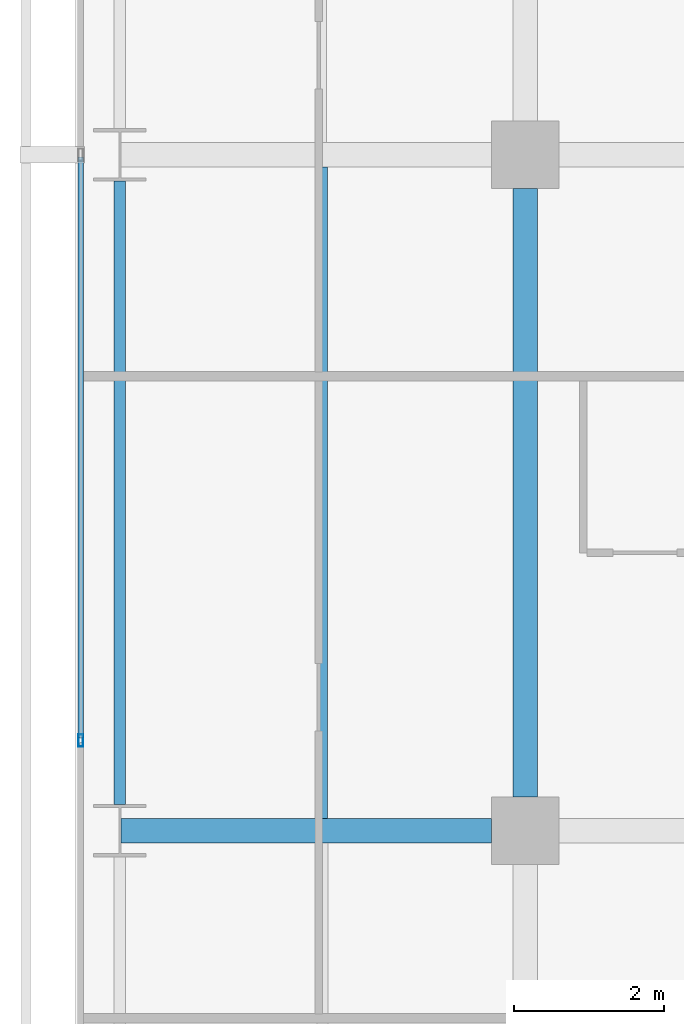
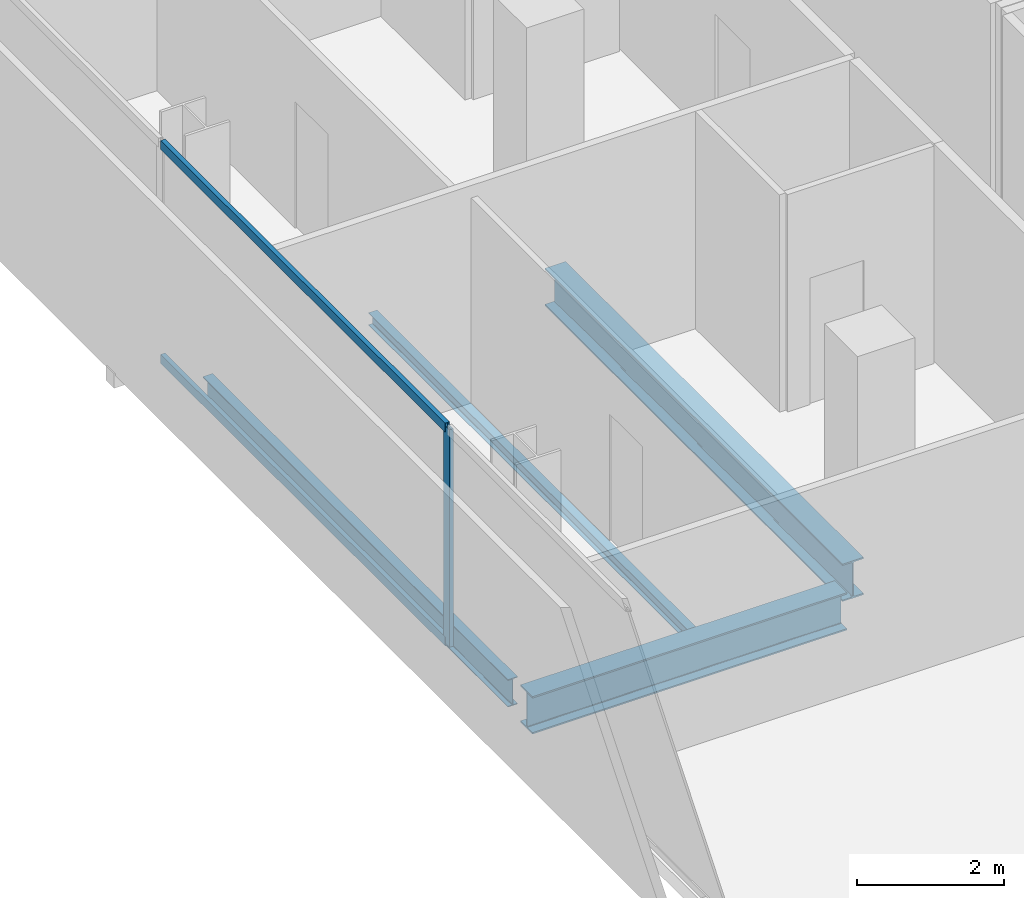
# One storey, part 10 of 39: 4 beams, 3 members, 1 element without a shape of its own.
"""IFC4 building model written with IfcOpenShell, lengths in metres."""

from ifc_helpers import new_model, si_unit, direction, frame, origin, origin_2d, place, context, subcontext, project, spatial, hollow_rectangle, i_section, extrude, material, layer, layer_set, material_profile, profile_set, type_object, element, aggregate, save


model = new_model("IFC4")

# Units and contexts
model_context = context("Model", 3, precision=1e-05, world=origin(), true_north=direction((0.0, 1.0)))
body_context = subcontext(model_context, "Body", "Model", "MODEL_VIEW")
ifc_project = project(units=[si_unit("LENGTHUNIT", "METRE"), si_unit("AREAUNIT", "SQUARE_METRE"), si_unit("VOLUMEUNIT", "CUBIC_METRE"), si_unit("PLANEANGLEUNIT", "RADIAN"), si_unit("MASSUNIT", "GRAM", prefix="KILO")], contexts=[model_context])

# Site, building, storey
site_placement = place(None, origin())
site = spatial("IfcSite", under=ifc_project, at=site_placement, CompositionType="ELEMENT")
building_placement = place(site_placement, origin())
building = spatial("IfcBuilding", under=site, at=building_placement, Name="Maruvema Waterfront Hotel and Observation Tower", CompositionType="ELEMENT")
storey_placement = place(building_placement, frame((0.0, 0.0, 69.300048828125)))
storey = spatial("IfcBuildingStorey", under=building, at=storey_placement, Name="L16", CompositionType="ELEMENT", Elevation=69.300048828125)

# Curtain wall, members
ifc_material_1 = material(Name="Anodised bronze aluminium and solar-control low-E IGU", Category="aluminium")
ifc_layer = layer(ifc_material_1, 0.159912109375, Name="Zone 1 Bronze Inner Thermal Curtain Wall System CW-02")
ifc_layer_set = layer_set([ifc_layer], Name="Anodised bronze aluminium and solar-control low-E IGU")
curtain_wall_type = type_object("IfcCurtainWallType", Name="Zone 1 Bronze Inner Thermal Curtain Wall System CW-02", PredefinedType="USERDEFINED", material=ifc_layer_set)
curtain_wall_placement = place(storey_placement, origin())
curtain_wall = element("IfcCurtainWall", 1, at=curtain_wall_placement, inside=storey, type_object=curtain_wall_type, Name="L16 Curtain Wall CW-L16-W", ObjectType="UNITISED CURTAIN WALL", PredefinedType="USERDEFINED")
ifc_material_2 = material(Name="Anodised architectural bronze aluminium", Category="aluminium")
ifc_material_profile_1 = material_profile(ifc_material_2, hollow_rectangle(XDim=0.070068359375, YDim=0.14990234375, WallThickness=0.00390625, at=origin_2d()), Name="ALU-T70x150")
ifc_profile_set_1 = profile_set([ifc_material_profile_1], Name="Anodised architectural bronze aluminium")
member_type_1 = type_object("IfcMemberType", Name="Curtain Wall Horizontal Transom ALU-T70x150", PredefinedType="USERDEFINED", material=ifc_profile_set_1)
member_1_placement = place(storey_placement, frame((10.8798828125, 26.969970703125, 0.030029296875), z_axis=(0.0, -1.0, 0.0), x_axis=(1.0, 0.0, 0.0)))
member_1 = element("IfcMember", 2, at=member_1_placement, type_object=member_type_1, Name="CW-02 transom 4.1", ObjectType="TRANSOM", PredefinedType="USERDEFINED", context=body_context, shape_type="SweptSolid", body=[
    extrude(hollow_rectangle(XDim=0.070068359375, YDim=0.14990234375, WallThickness=0.00390625, at=origin_2d()), origin(), (0.0, 0.0, 1.0), 7.739990234375),
])
member_2_placement = place(storey_placement, frame((10.8798828125, 26.969970703125, 3.579833984375), z_axis=(0.0, -1.0, 0.0), x_axis=(1.0, 0.0, 0.0)))
member_2 = element("IfcMember", 3, at=member_2_placement, type_object=member_type_1, Name="CW-02 transom 4.2", ObjectType="TRANSOM", PredefinedType="USERDEFINED", context=body_context, shape_type="SweptSolid", body=[
    extrude(hollow_rectangle(XDim=0.070068359375, YDim=0.14990234375, WallThickness=0.00390625, at=origin_2d()), origin(), (0.0, 0.0, 1.0), 7.739990234375),
])
ifc_material_3 = material(Name="Anodised architectural bronze aluminium", Category="aluminium")
ifc_material_profile_2 = material_profile(ifc_material_3, hollow_rectangle(XDim=0.06494140625, YDim=0.1650390625, WallThickness=0.00390625, at=origin_2d()), Name="ALU-M65x165")
ifc_profile_set_2 = profile_set([ifc_material_profile_2], Name="Anodised architectural bronze aluminium")
member_type_2 = type_object("IfcMemberType", Name="Curtain Wall Primary Mullion ALU-M65x165", PredefinedType="MULLION", material=ifc_profile_set_2)
member_3_placement = place(storey_placement, frame((10.8798828125, 19.199951171875, 0.0), z_axis=(0.0, 0.0, 1.0), x_axis=(1.0, 0.0, 0.0)))
member_3 = element("IfcMember", 4, at=member_3_placement, type_object=member_type_2, Name="CW-02 mullion 5", PredefinedType="MULLION", context=body_context, shape_type="SweptSolid", body=[
    extrude(hollow_rectangle(XDim=0.06494140625, YDim=0.1650390625, WallThickness=0.00390625, at=origin_2d()), origin(), (0.0, 0.0, 1.0), 3.60986328125),
])
aggregate(curtain_wall, [member_3, member_1, member_2])

# Beams
ifc_material_4 = material(Name="Steel ASTM A572 Grade 50", Category="steel")
ifc_material_profile_3 = material_profile(ifc_material_4, i_section(OverallWidth=0.153076171875, OverallDepth=0.455078125, WebThickness=0.008056640625, FlangeThickness=0.01318359375, FilletRadius=0.014892578125, at=origin_2d()), Name="W460x60.0")
ifc_profile_set_3 = profile_set([ifc_material_profile_3], Name="Steel ASTM A572 Grade 50")
beam_type_1 = type_object("IfcBeamType", Name="Perimeter Spandrel Beam W460x60.0", PredefinedType="SPANDREL", material=ifc_profile_set_3)
beam_1_placement = place(storey_placement, frame((11.39990234375, 18.35009765625, -0.467529296875), z_axis=(0.0, 1.0, 0.0), x_axis=(-1.0, 0.0, 0.0)))
element("IfcBeam", 5, at=beam_1_placement, inside=storey, type_object=beam_type_1, Name="L16 Floor Girder NS-02", PredefinedType="SPANDREL", context=body_context, shape_type="SweptSolid", body=[
    extrude(i_section(OverallWidth=0.153076171875, OverallDepth=0.455078125, WebThickness=0.008056640625, FlangeThickness=0.01318359375, FilletRadius=0.014892578125, at=origin_2d()), origin(), (0.0, 0.0, 1.0), 8.2998046875),
])
ifc_material_5 = material(Name="Steel ASTM A572 Grade 50", Category="steel")
ifc_material_profile_4 = material_profile(ifc_material_5, i_section(OverallWidth=0.326904296875, OverallDepth=0.6220703125, WebThickness=0.015380859375, FlangeThickness=0.0244140625, FilletRadius=0.01806640625, at=origin_2d()), Name="W610x195.0")
ifc_profile_set_4 = profile_set([ifc_material_profile_4], Name="Steel ASTM A572 Grade 50")
beam_type_2 = type_object("IfcBeamType", Name="Primary Floor Girder W610x195.0", PredefinedType="BEAM", material=ifc_profile_set_4)
beam_2_placement = place(storey_placement, frame((11.4140625, 18.0, -0.551025390625), z_axis=(1.0, 0.0, 0.0), x_axis=(0.0, 1.0, 0.0)))
element("IfcBeam", 6, at=beam_2_placement, inside=storey, type_object=beam_type_2, Name="L16 Floor Girder EW-13", PredefinedType="BEAM", context=body_context, shape_type="SweptSolid", body=[
    extrude(i_section(OverallWidth=0.326904296875, OverallDepth=0.6220703125, WebThickness=0.015380859375, FlangeThickness=0.0244140625, FilletRadius=0.01806640625, at=origin_2d()), origin(), (0.0, 0.0, 1.0), 4.93603515625),
])
beam_3_placement = place(storey_placement, frame((16.800048828125, 18.449951171875, -0.551025390625), z_axis=(0.0, 1.0, 0.0), x_axis=(-1.0, 0.0, 0.0)))
element("IfcBeam", 7, at=beam_3_placement, inside=storey, type_object=beam_type_2, Name="L16 Floor Girder NS-07", PredefinedType="BEAM", context=body_context, shape_type="SweptSolid", body=[
    extrude(i_section(OverallWidth=0.326904296875, OverallDepth=0.6220703125, WebThickness=0.015380859375, FlangeThickness=0.0244140625, FilletRadius=0.01806640625, at=origin_2d()), origin(), (0.0, 0.0, 1.0), 8.10009765625),
])
ifc_material_6 = material(Name="Steel ASTM A572 Grade 50", Category="steel")
ifc_material_profile_5 = material_profile(ifc_material_6, i_section(OverallWidth=0.133056640625, OverallDepth=0.20703125, WebThickness=0.005859375, FlangeThickness=0.00830078125, FilletRadius=0.010009765625, at=origin_2d()), Name="W200x26.6")
ifc_profile_set_5 = profile_set([ifc_material_profile_5], Name="Steel ASTM A572 Grade 50")
beam_type_3 = type_object("IfcBeamType", Name="Secondary Floor Joist W200x26.6", PredefinedType="JOIST", material=ifc_profile_set_5)
beam_4_placement = place(storey_placement, frame((14.10009765625, 18.16357421875, -0.343505859375), z_axis=(0.0, 1.0, 0.0), x_axis=(-1.0, 0.0, 0.0)))
element("IfcBeam", 8, at=beam_4_placement, inside=storey, type_object=beam_type_3, Name="L16 Secondary Floor Joist JS-02", PredefinedType="JOIST", context=body_context, shape_type="SweptSolid", body=[
    extrude(i_section(OverallWidth=0.133056640625, OverallDepth=0.20703125, WebThickness=0.005859375, FlangeThickness=0.00830078125, FilletRadius=0.010009765625, at=origin_2d()), origin(), (0.0, 0.0, 1.0), 8.6728515625),
])

save(model, "model.ifc")
